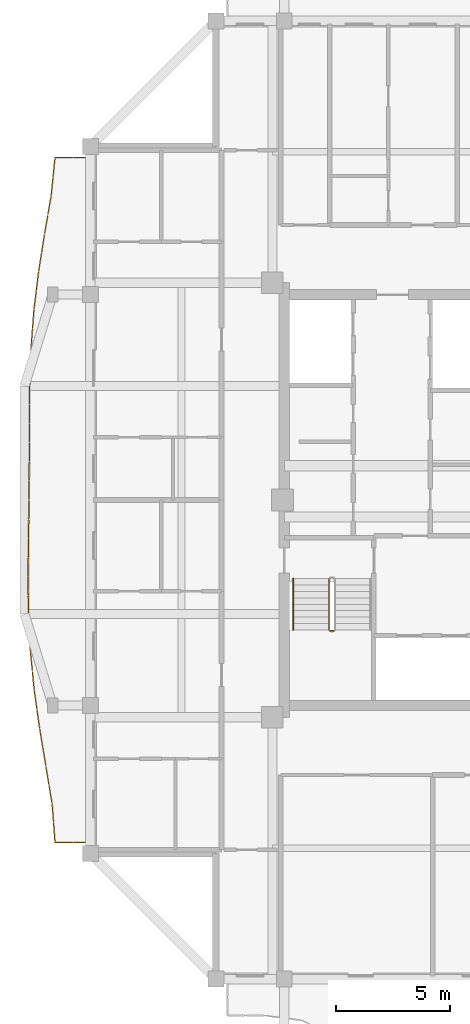
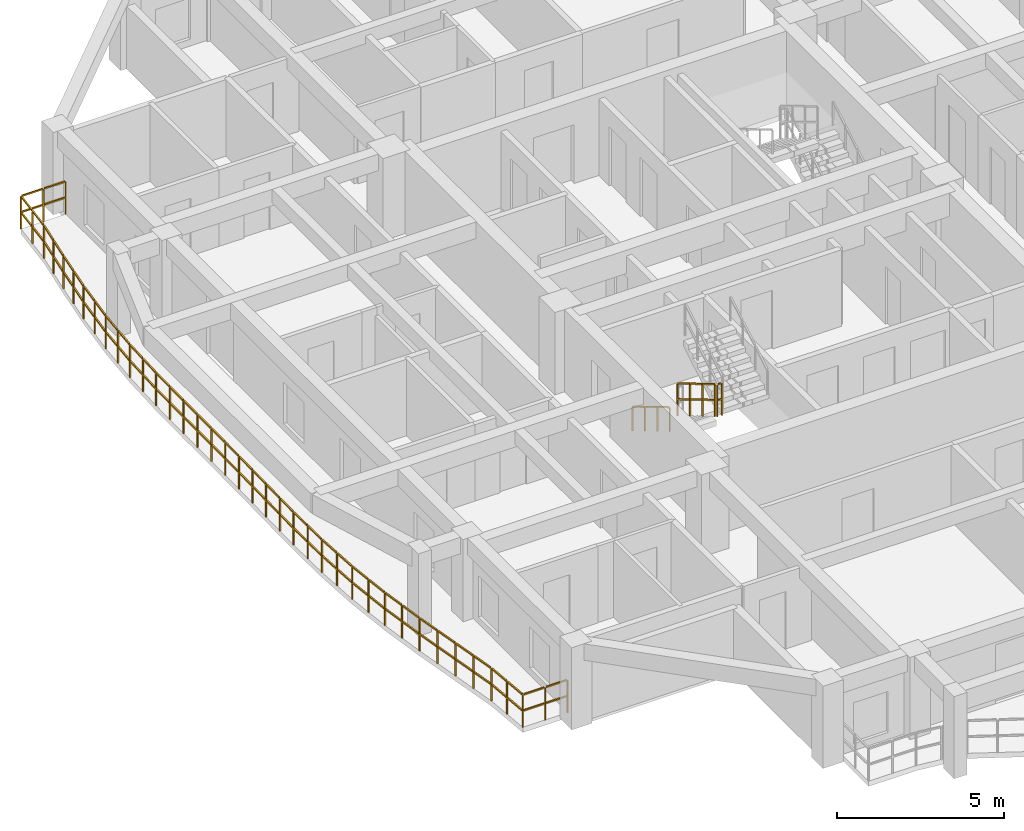
# One storey, part 9 of 12: 4 railings.
"""IFC4 building model written with IfcOpenShell, lengths in metres."""

from ifc_helpers import new_model, si_unit, direction, frame, origin, origin_2d, place, context, subcontext, project, spatial, rectangle, extrude, material, type_object, element, save


model = new_model("IFC4")

# Units and contexts
model_context = context("Model", 3, precision=1e-05, world=origin(), true_north=direction((0.0, 1.0)))
body_context = subcontext(model_context, "Body", "Model", "MODEL_VIEW")
ifc_project = project(units=[si_unit("LENGTHUNIT", "METRE"), si_unit("AREAUNIT", "SQUARE_METRE"), si_unit("VOLUMEUNIT", "CUBIC_METRE"), si_unit("PLANEANGLEUNIT", "RADIAN"), si_unit("MASSUNIT", "GRAM", prefix="KILO")], contexts=[model_context])

# Site, building, storey
site_placement = place(None, origin())
site = spatial("IfcSite", under=ifc_project, at=site_placement, CompositionType="ELEMENT")
building_placement = place(site_placement, origin())
building = spatial("IfcBuilding", under=site, at=building_placement, Name="Saelheon Loggia Tower", CompositionType="ELEMENT")
storey_placement = place(building_placement, frame((0.0, 0.0, 240.0)))
storey = spatial("IfcBuildingStorey", under=building, at=storey_placement, Name="L74", CompositionType="ELEMENT", Elevation=240.0)

# Railings
ifc_material_1 = material(Name="Architectural Precast Concrete and Laminated Glass Guard", Category="concrete")
railing_type_1 = type_object("IfcRailingType", Name="Guard_Loggia_RL_LOG", PredefinedType="BALUSTRADE", material=ifc_material_1)
railing_1_placement = place(storey_placement, frame((23.0, 42.0, 0.0)))
element("IfcRailing", 1, at=railing_1_placement, inside=storey, type_object=railing_type_1, Name="L74 West Loggia Balustrade", PredefinedType="BALUSTRADE", context=body_context, shape_type="SweptSolid", body=[
    extrude(rectangle(XDim=0.048095703125, YDim=0.048095703125, at=origin_2d()), frame((-0.033203125, 0.0, 1.19580078125), z_axis=(-1.0, 0.0, 0.0), x_axis=(0.0, -1.0, 0.0)), (0.0, 0.0, 1.0), 0.70849609375),
    extrude(rectangle(XDim=0.048095703125, YDim=0.048095703125, at=origin_2d()), frame((-0.033203125, 0.0, 0.60986328125), z_axis=(-1.0, 0.0, 0.0), x_axis=(0.0, -1.0, 0.0)), (0.0, 0.0, 1.0), 0.70849609375),
    extrude(rectangle(XDim=0.048095703125, YDim=0.048095703125, at=origin_2d()), frame((-0.808349609375, 0.0, 1.19580078125), z_axis=(-1.0, 0.0, 0.0), x_axis=(0.0, -1.0, 0.0)), (0.0, 0.0, 1.0), 0.70849609375),
    extrude(rectangle(XDim=0.048095703125, YDim=0.048095703125, at=origin_2d()), frame((-0.808349609375, 0.0, 0.60986328125), z_axis=(-1.0, 0.0, 0.0), x_axis=(0.0, -1.0, 0.0)), (0.0, 0.0, 1.0), 0.70849609375),
    extrude(rectangle(XDim=0.048095703125, YDim=0.048095703125, at=origin_2d()), frame((-1.553466796875, -0.032958984375, 1.19580078125), z_axis=(-0.100556993811, -0.994931299636, 0.0), x_axis=(0.994931299636, -0.100556993811, 0.0)), (0.0, 0.0, 1.0), 0.771240234375),
    extrude(rectangle(XDim=0.048095703125, YDim=0.048095703125, at=origin_2d()), frame((-1.553466796875, -0.032958984375, 0.60986328125), z_axis=(-0.100556993811, -0.994931299636, 0.0), x_axis=(0.994931299636, -0.100556993811, 0.0)), (0.0, 0.0, 1.0), 0.771240234375),
    extrude(rectangle(XDim=0.048095703125, YDim=0.048095703125, at=origin_2d()), frame((-1.6376953125, -0.866455078125, 1.19580078125), z_axis=(-0.100556993811, -0.994931299636, 0.0), x_axis=(0.994931299636, -0.100556993811, 0.0)), (0.0, 0.0, 1.0), 0.771240234375),
    extrude(rectangle(XDim=0.048095703125, YDim=0.048095703125, at=origin_2d()), frame((-1.6376953125, -0.866455078125, 0.60986328125), z_axis=(-0.100556993811, -0.994931299636, 0.0), x_axis=(0.994931299636, -0.100556993811, 0.0)), (0.0, 0.0, 1.0), 0.771240234375),
    extrude(rectangle(XDim=0.048095703125, YDim=0.048095703125, at=origin_2d()), frame((-1.72412109375, -1.699462890625, 1.19580078125), z_axis=(-0.171042688029, -0.985263618973, 0.0), x_axis=(0.985263618973, -0.171042688029, 0.0)), (0.0, 0.0, 1.0), 0.779296875),
    extrude(rectangle(XDim=0.048095703125, YDim=0.048095703125, at=origin_2d()), frame((-1.72412109375, -1.699462890625, 0.60986328125), z_axis=(-0.171042688029, -0.985263618973, 0.0), x_axis=(0.985263618973, -0.171042688029, 0.0)), (0.0, 0.0, 1.0), 0.779296875),
    extrude(rectangle(XDim=0.048095703125, YDim=0.048095703125, at=origin_2d()), frame((-1.868896484375, -2.53271484375, 1.19580078125), z_axis=(-0.171042688029, -0.985263618973, 0.0), x_axis=(0.985263618973, -0.171042688029, 0.0)), (0.0, 0.0, 1.0), 0.779296875),
    extrude(rectangle(XDim=0.048095703125, YDim=0.048095703125, at=origin_2d()), frame((-1.868896484375, -2.53271484375, 0.60986328125), z_axis=(-0.171042688029, -0.985263618973, 0.0), x_axis=(0.985263618973, -0.171042688029, 0.0)), (0.0, 0.0, 1.0), 0.779296875),
    extrude(rectangle(XDim=0.048095703125, YDim=0.048095703125, at=origin_2d()), frame((-2.012939453125, -3.365966796875, 1.19580078125), z_axis=(-0.155970003219, -0.987761792183, 0.0), x_axis=(0.987761792183, -0.155970003219, 0.0)), (0.0, 0.0, 1.0), 0.77734375),
    extrude(rectangle(XDim=0.048095703125, YDim=0.048095703125, at=origin_2d()), frame((-2.012939453125, -3.365966796875, 0.60986328125), z_axis=(-0.155970003219, -0.987761792183, 0.0), x_axis=(0.987761792183, -0.155970003219, 0.0)), (0.0, 0.0, 1.0), 0.77734375),
    extrude(rectangle(XDim=0.048095703125, YDim=0.048095703125, at=origin_2d()), frame((-2.14453125, -4.199462890625, 1.19580078125), z_axis=(-0.155970003219, -0.987761792183, 0.0), x_axis=(0.987761792183, -0.155970003219, 0.0)), (0.0, 0.0, 1.0), 0.77734375),
    extrude(rectangle(XDim=0.048095703125, YDim=0.048095703125, at=origin_2d()), frame((-2.14453125, -4.199462890625, 0.60986328125), z_axis=(-0.155970003219, -0.987761792183, 0.0), x_axis=(0.987761792183, -0.155970003219, 0.0)), (0.0, 0.0, 1.0), 0.77734375),
    extrude(rectangle(XDim=0.048095703125, YDim=0.048095703125, at=origin_2d()), frame((-2.27490234375, -5.032958984375, 1.19580078125), z_axis=(-0.12054414894, -0.992707967207, 0.0), x_axis=(0.992707967207, -0.12054414894, 0.0)), (0.0, 0.0, 1.0), 0.77294921875),
    extrude(rectangle(XDim=0.048095703125, YDim=0.048095703125, at=origin_2d()), frame((-2.27490234375, -5.032958984375, 0.60986328125), z_axis=(-0.12054414894, -0.992707967207, 0.0), x_axis=(0.992707967207, -0.12054414894, 0.0)), (0.0, 0.0, 1.0), 0.77294921875),
    extrude(rectangle(XDim=0.048095703125, YDim=0.048095703125, at=origin_2d()), frame((-2.376220703125, -5.866455078125, 1.19580078125), z_axis=(-0.12054414894, -0.992707967207, 0.0), x_axis=(0.992707967207, -0.12054414894, 0.0)), (0.0, 0.0, 1.0), 0.77294921875),
    extrude(rectangle(XDim=0.048095703125, YDim=0.048095703125, at=origin_2d()), frame((-2.376220703125, -5.866455078125, 0.60986328125), z_axis=(-0.12054414894, -0.992707967207, 0.0), x_axis=(0.992707967207, -0.12054414894, 0.0)), (0.0, 0.0, 1.0), 0.77294921875),
    extrude(rectangle(XDim=0.048095703125, YDim=0.048095703125, at=origin_2d()), frame((-2.475830078125, -6.699951171875, 1.19580078125), z_axis=(-0.075523507059, -0.997144021635, 0.0), x_axis=(0.997144021635, -0.075523507059, 0.0)), (0.0, 0.0, 1.0), 0.769287109375),
    extrude(rectangle(XDim=0.048095703125, YDim=0.048095703125, at=origin_2d()), frame((-2.475830078125, -6.699951171875, 0.60986328125), z_axis=(-0.075523507059, -0.997144021635, 0.0), x_axis=(0.997144021635, -0.075523507059, 0.0)), (0.0, 0.0, 1.0), 0.769287109375),
    extrude(rectangle(XDim=0.048095703125, YDim=0.048095703125, at=origin_2d()), frame((-2.5390625, -7.533203125, 1.19580078125), z_axis=(-0.075523507059, -0.997144021635, 0.0), x_axis=(0.997144021635, -0.075523507059, 0.0)), (0.0, 0.0, 1.0), 0.769287109375),
    extrude(rectangle(XDim=0.048095703125, YDim=0.048095703125, at=origin_2d()), frame((-2.5390625, -7.533203125, 0.60986328125), z_axis=(-0.075523507059, -0.997144021635, 0.0), x_axis=(0.997144021635, -0.075523507059, 0.0)), (0.0, 0.0, 1.0), 0.769287109375),
    extrude(rectangle(XDim=0.048095703125, YDim=0.048095703125, at=origin_2d()), frame((-2.600830078125, -8.366455078125, 1.19580078125), z_axis=(-0.034109333385, -0.999418107388, 0.0), x_axis=(0.999418107388, -0.034109333385, 0.0)), (0.0, 0.0, 1.0), 0.767333984375),
    extrude(rectangle(XDim=0.048095703125, YDim=0.048095703125, at=origin_2d()), frame((-2.600830078125, -8.366455078125, 0.60986328125), z_axis=(-0.034109333385, -0.999418107388, 0.0), x_axis=(0.999418107388, -0.034109333385, 0.0)), (0.0, 0.0, 1.0), 0.767333984375),
    extrude(rectangle(XDim=0.048095703125, YDim=0.048095703125, at=origin_2d()), frame((-2.629150390625, -9.199951171875, 1.19580078125), z_axis=(-0.034109333385, -0.999418107388, 0.0), x_axis=(0.999418107388, -0.034109333385, 0.0)), (0.0, 0.0, 1.0), 0.767333984375),
    extrude(rectangle(XDim=0.048095703125, YDim=0.048095703125, at=origin_2d()), frame((-2.629150390625, -9.199951171875, 0.60986328125), z_axis=(-0.034109333385, -0.999418107388, 0.0), x_axis=(0.999418107388, -0.034109333385, 0.0)), (0.0, 0.0, 1.0), 0.767333984375),
    extrude(rectangle(XDim=0.048095703125, YDim=0.048095703125, at=origin_2d()), frame((-2.65673828125, -10.033203125, 1.19580078125), z_axis=(-0.008348910706, -0.999965147238, 0.0), x_axis=(0.999965147238, -0.008348910706, 0.0)), (0.0, 0.0, 1.0), 0.766845703125),
    extrude(rectangle(XDim=0.048095703125, YDim=0.048095703125, at=origin_2d()), frame((-2.65673828125, -10.033203125, 0.60986328125), z_axis=(-0.008348910706, -0.999965147238, 0.0), x_axis=(0.999965147238, -0.008348910706, 0.0)), (0.0, 0.0, 1.0), 0.766845703125),
    extrude(rectangle(XDim=0.048095703125, YDim=0.048095703125, at=origin_2d()), frame((-2.663818359375, -10.86669921875, 1.19580078125), z_axis=(-0.008348910706, -0.999965147238, 0.0), x_axis=(0.999965147238, -0.008348910706, 0.0)), (0.0, 0.0, 1.0), 0.766845703125),
    extrude(rectangle(XDim=0.048095703125, YDim=0.048095703125, at=origin_2d()), frame((-2.663818359375, -10.86669921875, 0.60986328125), z_axis=(-0.008348910706, -0.999965147238, 0.0), x_axis=(0.999965147238, -0.008348910706, 0.0)), (0.0, 0.0, 1.0), 0.766845703125),
    extrude(rectangle(XDim=0.048095703125, YDim=0.048095703125, at=origin_2d()), frame((-2.67041015625, -11.699951171875, 1.19580078125), z_axis=(-0.00087899175, -0.999999613687, 0.0), x_axis=(0.999999613687, -0.00087899175, 0.0)), (0.0, 0.0, 1.0), 0.766845703125),
    extrude(rectangle(XDim=0.048095703125, YDim=0.048095703125, at=origin_2d()), frame((-2.67041015625, -11.699951171875, 0.60986328125), z_axis=(-0.00087899175, -0.999999613687, 0.0), x_axis=(0.999999613687, -0.00087899175, 0.0)), (0.0, 0.0, 1.0), 0.766845703125),
    extrude(rectangle(XDim=0.048095703125, YDim=0.048095703125, at=origin_2d()), frame((-2.671142578125, -12.533203125, 1.19580078125), z_axis=(-0.00087899175, -0.999999613687, 0.0), x_axis=(0.999999613687, -0.00087899175, 0.0)), (0.0, 0.0, 1.0), 0.766845703125),
    extrude(rectangle(XDim=0.048095703125, YDim=0.048095703125, at=origin_2d()), frame((-2.671142578125, -12.533203125, 0.60986328125), z_axis=(-0.00087899175, -0.999999613687, 0.0), x_axis=(0.999999613687, -0.00087899175, 0.0)), (0.0, 0.0, 1.0), 0.766845703125),
    extrude(rectangle(XDim=0.048095703125, YDim=0.048095703125, at=origin_2d()), frame((-2.672119140625, -13.366455078125, 1.19580078125), z_axis=(-0.007030732919, -0.999975284092, 0.0), x_axis=(0.999975284092, -0.007030732919, 0.0)), (0.0, 0.0, 1.0), 0.766845703125),
    extrude(rectangle(XDim=0.048095703125, YDim=0.048095703125, at=origin_2d()), frame((-2.672119140625, -13.366455078125, 0.60986328125), z_axis=(-0.007030732919, -0.999975284092, 0.0), x_axis=(0.999975284092, -0.007030732919, 0.0)), (0.0, 0.0, 1.0), 0.766845703125),
    extrude(rectangle(XDim=0.048095703125, YDim=0.048095703125, at=origin_2d()), frame((-2.677978515625, -14.199951171875, 1.19580078125), z_axis=(-0.007030732919, -0.999975284092, 0.0), x_axis=(0.999975284092, -0.007030732919, 0.0)), (0.0, 0.0, 1.0), 0.766845703125),
    extrude(rectangle(XDim=0.048095703125, YDim=0.048095703125, at=origin_2d()), frame((-2.677978515625, -14.199951171875, 0.60986328125), z_axis=(-0.007030732919, -0.999975284092, 0.0), x_axis=(0.999975284092, -0.007030732919, 0.0)), (0.0, 0.0, 1.0), 0.766845703125),
    extrude(rectangle(XDim=0.048095703125, YDim=0.048095703125, at=origin_2d()), frame((-2.68408203125, -15.033203125, 1.19580078125), z_axis=(-0.014353289095, -0.99989698624, 0.0), x_axis=(0.99989698624, -0.014353289095, 0.0)), (0.0, 0.0, 1.0), 0.76708984375),
    extrude(rectangle(XDim=0.048095703125, YDim=0.048095703125, at=origin_2d()), frame((-2.68408203125, -15.033203125, 0.60986328125), z_axis=(-0.014353289095, -0.99989698624, 0.0), x_axis=(0.99989698624, -0.014353289095, 0.0)), (0.0, 0.0, 1.0), 0.76708984375),
    extrude(rectangle(XDim=0.048095703125, YDim=0.048095703125, at=origin_2d()), frame((-2.696044921875, -15.86669921875, 1.19580078125), z_axis=(-0.014353289095, -0.99989698624, 0.0), x_axis=(0.99989698624, -0.014353289095, 0.0)), (0.0, 0.0, 1.0), 0.76708984375),
    extrude(rectangle(XDim=0.048095703125, YDim=0.048095703125, at=origin_2d()), frame((-2.696044921875, -15.86669921875, 0.60986328125), z_axis=(-0.014353289095, -0.99989698624, 0.0), x_axis=(0.99989698624, -0.014353289095, 0.0)), (0.0, 0.0, 1.0), 0.76708984375),
    extrude(rectangle(XDim=0.048095703125, YDim=0.048095703125, at=origin_2d()), frame((-2.7080078125, -16.699951171875, 1.19580078125), z_axis=(-0.011279680844, -0.999936382376, 0.0), x_axis=(0.999936382376, -0.011279680844, 0.0)), (0.0, 0.0, 1.0), 0.766845703125),
    extrude(rectangle(XDim=0.048095703125, YDim=0.048095703125, at=origin_2d()), frame((-2.7080078125, -16.699951171875, 0.60986328125), z_axis=(-0.011279680844, -0.999936382376, 0.0), x_axis=(0.999936382376, -0.011279680844, 0.0)), (0.0, 0.0, 1.0), 0.766845703125),
    extrude(rectangle(XDim=0.048095703125, YDim=0.048095703125, at=origin_2d()), frame((-2.71728515625, -17.533203125, 1.19580078125), z_axis=(-0.011279680844, -0.999936382376, 0.0), x_axis=(0.999936382376, -0.011279680844, 0.0)), (0.0, 0.0, 1.0), 0.766845703125),
    extrude(rectangle(XDim=0.048095703125, YDim=0.048095703125, at=origin_2d()), frame((-2.71728515625, -17.533203125, 0.60986328125), z_axis=(-0.011279680844, -0.999936382376, 0.0), x_axis=(0.999936382376, -0.011279680844, 0.0)), (0.0, 0.0, 1.0), 0.766845703125),
    extrude(rectangle(XDim=0.048095703125, YDim=0.048095703125, at=origin_2d()), frame((-2.72607421875, -18.366455078125, 1.19580078125), z_axis=(0.010692226024, -0.999942836517, 0.0), x_axis=(0.999942836517, 0.010692226024, 0.0)), (0.0, 0.0, 1.0), 0.766845703125),
    extrude(rectangle(XDim=0.048095703125, YDim=0.048095703125, at=origin_2d()), frame((-2.72607421875, -18.366455078125, 0.60986328125), z_axis=(0.010692226024, -0.999942836517, 0.0), x_axis=(0.999942836517, 0.010692226024, 0.0)), (0.0, 0.0, 1.0), 0.766845703125),
    extrude(rectangle(XDim=0.048095703125, YDim=0.048095703125, at=origin_2d()), frame((-2.717041015625, -19.199951171875, 1.19580078125), z_axis=(0.010692226024, -0.999942836517, 0.0), x_axis=(0.999942836517, 0.010692226024, 0.0)), (0.0, 0.0, 1.0), 0.766845703125),
    extrude(rectangle(XDim=0.048095703125, YDim=0.048095703125, at=origin_2d()), frame((-2.717041015625, -19.199951171875, 0.60986328125), z_axis=(0.010692226024, -0.999942836517, 0.0), x_axis=(0.999942836517, 0.010692226024, 0.0)), (0.0, 0.0, 1.0), 0.766845703125),
    extrude(rectangle(XDim=0.048095703125, YDim=0.048095703125, at=origin_2d()), frame((-2.706787109375, -20.033203125, 1.19580078125), z_axis=(0.050178396497, -0.998740270804, 0.0), x_axis=(0.998740270804, 0.050178396497, 0.0)), (0.0, 0.0, 1.0), 0.76806640625),
    extrude(rectangle(XDim=0.048095703125, YDim=0.048095703125, at=origin_2d()), frame((-2.706787109375, -20.033203125, 0.60986328125), z_axis=(0.050178396497, -0.998740270804, 0.0), x_axis=(0.998740270804, 0.050178396497, 0.0)), (0.0, 0.0, 1.0), 0.76806640625),
    extrude(rectangle(XDim=0.048095703125, YDim=0.048095703125, at=origin_2d()), frame((-2.6650390625, -20.866455078125, 1.19580078125), z_axis=(0.050178396497, -0.998740270804, 0.0), x_axis=(0.998740270804, 0.050178396497, 0.0)), (0.0, 0.0, 1.0), 0.76806640625),
    extrude(rectangle(XDim=0.048095703125, YDim=0.048095703125, at=origin_2d()), frame((-2.6650390625, -20.866455078125, 0.60986328125), z_axis=(0.050178396497, -0.998740270804, 0.0), x_axis=(0.998740270804, 0.050178396497, 0.0)), (0.0, 0.0, 1.0), 0.76806640625),
    extrude(rectangle(XDim=0.048095703125, YDim=0.048095703125, at=origin_2d()), frame((-2.62158203125, -21.69970703125, 1.19580078125), z_axis=(0.097684686156, -0.995217414483, 0.0), x_axis=(0.995217414483, 0.097684686156, 0.0)), (0.0, 0.0, 1.0), 0.770751953125),
    extrude(rectangle(XDim=0.048095703125, YDim=0.048095703125, at=origin_2d()), frame((-2.62158203125, -21.69970703125, 0.60986328125), z_axis=(0.097684686156, -0.995217414483, 0.0), x_axis=(0.995217414483, 0.097684686156, 0.0)), (0.0, 0.0, 1.0), 0.770751953125),
    extrude(rectangle(XDim=0.048095703125, YDim=0.048095703125, at=origin_2d()), frame((-2.539794921875, -22.532958984375, 1.19580078125), z_axis=(0.097684686156, -0.995217414483, 0.0), x_axis=(0.995217414483, 0.097684686156, 0.0)), (0.0, 0.0, 1.0), 0.770751953125),
    extrude(rectangle(XDim=0.048095703125, YDim=0.048095703125, at=origin_2d()), frame((-2.539794921875, -22.532958984375, 0.60986328125), z_axis=(0.097684686156, -0.995217414483, 0.0), x_axis=(0.995217414483, 0.097684686156, 0.0)), (0.0, 0.0, 1.0), 0.770751953125),
    extrude(rectangle(XDim=0.048095703125, YDim=0.048095703125, at=origin_2d()), frame((-2.45654296875, -23.3662109375, 1.19580078125), z_axis=(0.139532622052, -0.990217474792, 0.0), x_axis=(0.990217474792, 0.139532622052, 0.0)), (0.0, 0.0, 1.0), 0.775146484375),
    extrude(rectangle(XDim=0.048095703125, YDim=0.048095703125, at=origin_2d()), frame((-2.45654296875, -23.3662109375, 0.60986328125), z_axis=(0.139532622052, -0.990217474792, 0.0), x_axis=(0.990217474792, 0.139532622052, 0.0)), (0.0, 0.0, 1.0), 0.775146484375),
    extrude(rectangle(XDim=0.048095703125, YDim=0.048095703125, at=origin_2d()), frame((-2.339111328125, -24.199462890625, 1.19580078125), z_axis=(0.139532622052, -0.990217474792, 0.0), x_axis=(0.990217474792, 0.139532622052, 0.0)), (0.0, 0.0, 1.0), 0.775146484375),
    extrude(rectangle(XDim=0.048095703125, YDim=0.048095703125, at=origin_2d()), frame((-2.339111328125, -24.199462890625, 0.60986328125), z_axis=(0.139532622052, -0.990217474792, 0.0), x_axis=(0.990217474792, 0.139532622052, 0.0)), (0.0, 0.0, 1.0), 0.775146484375),
    extrude(rectangle(XDim=0.048095703125, YDim=0.048095703125, at=origin_2d()), frame((-2.220947265625, -25.03271484375, 1.19580078125), z_axis=(0.163297476344, -0.986576876994, 0.0), x_axis=(0.986576876994, 0.163297476344, 0.0)), (0.0, 0.0, 1.0), 0.7783203125),
    extrude(rectangle(XDim=0.048095703125, YDim=0.048095703125, at=origin_2d()), frame((-2.220947265625, -25.03271484375, 0.60986328125), z_axis=(0.163297476344, -0.986576876994, 0.0), x_axis=(0.986576876994, 0.163297476344, 0.0)), (0.0, 0.0, 1.0), 0.7783203125),
    extrude(rectangle(XDim=0.048095703125, YDim=0.048095703125, at=origin_2d()), frame((-2.0830078125, -25.8662109375, 1.19580078125), z_axis=(0.163297476344, -0.986576876994, 0.0), x_axis=(0.986576876994, 0.163297476344, 0.0)), (0.0, 0.0, 1.0), 0.7783203125),
    extrude(rectangle(XDim=0.048095703125, YDim=0.048095703125, at=origin_2d()), frame((-2.0830078125, -25.8662109375, 0.60986328125), z_axis=(0.163297476344, -0.986576876994, 0.0), x_axis=(0.986576876994, 0.163297476344, 0.0)), (0.0, 0.0, 1.0), 0.7783203125),
    extrude(rectangle(XDim=0.048095703125, YDim=0.048095703125, at=origin_2d()), frame((-1.945068359375, -26.699462890625, 1.19580078125), z_axis=(0.164164640298, -0.986432953057, 0.0), x_axis=(0.986432953057, 0.164164640298, 0.0)), (0.0, 0.0, 1.0), 0.7783203125),
    extrude(rectangle(XDim=0.048095703125, YDim=0.048095703125, at=origin_2d()), frame((-1.945068359375, -26.699462890625, 0.60986328125), z_axis=(0.164164640298, -0.986432953057, 0.0), x_axis=(0.986432953057, 0.164164640298, 0.0)), (0.0, 0.0, 1.0), 0.7783203125),
    extrude(rectangle(XDim=0.048095703125, YDim=0.048095703125, at=origin_2d()), frame((-1.806396484375, -27.53271484375, 1.19580078125), z_axis=(0.164164640298, -0.986432953057, 0.0), x_axis=(0.986432953057, 0.164164640298, 0.0)), (0.0, 0.0, 1.0), 0.7783203125),
    extrude(rectangle(XDim=0.048095703125, YDim=0.048095703125, at=origin_2d()), frame((-1.806396484375, -27.53271484375, 0.60986328125), z_axis=(0.164164640298, -0.986432953057, 0.0), x_axis=(0.986432953057, 0.164164640298, 0.0)), (0.0, 0.0, 1.0), 0.7783203125),
    extrude(rectangle(XDim=0.048095703125, YDim=0.048095703125, at=origin_2d()), frame((-1.670654296875, -28.366455078125, 1.19580078125), z_axis=(0.073624164853, -0.997286058435, 0.0), x_axis=(0.997286058435, 0.073624164853, 0.0)), (0.0, 0.0, 1.0), 0.769287109375),
    extrude(rectangle(XDim=0.048095703125, YDim=0.048095703125, at=origin_2d()), frame((-1.670654296875, -28.366455078125, 0.60986328125), z_axis=(0.073624164853, -0.997286058435, 0.0), x_axis=(0.997286058435, 0.073624164853, 0.0)), (0.0, 0.0, 1.0), 0.769287109375),
    extrude(rectangle(XDim=0.048095703125, YDim=0.048095703125, at=origin_2d()), frame((-1.609130859375, -29.19970703125, 1.19580078125), z_axis=(0.073624164853, -0.997286058435, 0.0), x_axis=(0.997286058435, 0.073624164853, 0.0)), (0.0, 0.0, 1.0), 0.769287109375),
    extrude(rectangle(XDim=0.048095703125, YDim=0.048095703125, at=origin_2d()), frame((-1.609130859375, -29.19970703125, 0.60986328125), z_axis=(0.073624164853, -0.997286058435, 0.0), x_axis=(0.997286058435, 0.073624164853, 0.0)), (0.0, 0.0, 1.0), 0.769287109375),
    extrude(rectangle(XDim=0.048095703125, YDim=0.048095703125, at=origin_2d()), frame((-1.516845703125, -30.0, 1.19580078125), z_axis=(1.0, 0.0, 0.0), x_axis=(0.0, 1.0, 0.0)), (0.0, 0.0, 1.0), 0.70849609375),
    extrude(rectangle(XDim=0.048095703125, YDim=0.048095703125, at=origin_2d()), frame((-1.516845703125, -30.0, 0.60986328125), z_axis=(1.0, 0.0, 0.0), x_axis=(0.0, 1.0, 0.0)), (0.0, 0.0, 1.0), 0.70849609375),
    extrude(rectangle(XDim=0.048095703125, YDim=0.048095703125, at=origin_2d()), frame((-0.74169921875, -30.0, 1.19580078125), z_axis=(1.0, 0.0, 0.0), x_axis=(0.0, 1.0, 0.0)), (0.0, 0.0, 1.0), 0.70849609375),
    extrude(rectangle(XDim=0.048095703125, YDim=0.048095703125, at=origin_2d()), frame((-0.74169921875, -30.0, 0.60986328125), z_axis=(1.0, 0.0, 0.0), x_axis=(0.0, 1.0, 0.0)), (0.0, 0.0, 1.0), 0.70849609375),
    extrude(rectangle(XDim=0.0419921875, YDim=0.0419921875, at=origin_2d()), origin(), (0.0, 0.0, 1.0), 1.16796875),
    extrude(rectangle(XDim=0.0419921875, YDim=0.0419921875, at=origin_2d()), frame((-0.77490234375, 0.0, 0.0)), (0.0, 0.0, 1.0), 1.16796875),
    extrude(rectangle(XDim=0.0419921875, YDim=0.0419921875, at=origin_2d()), frame((-1.550048828125, 0.0, 0.0)), (0.0, 0.0, 1.0), 1.16796875),
    extrude(rectangle(XDim=0.0419921875, YDim=0.0419921875, at=origin_2d()), frame((-1.63427734375, -0.83349609375, 0.0)), (0.0, 0.0, 1.0), 1.16796875),
    extrude(rectangle(XDim=0.0419921875, YDim=0.0419921875, at=origin_2d()), frame((-1.718505859375, -1.666748046875, 0.0)), (0.0, 0.0, 1.0), 1.16796875),
    extrude(rectangle(XDim=0.0419921875, YDim=0.0419921875, at=origin_2d()), frame((-1.86328125, -2.5, 0.0)), (0.0, 0.0, 1.0), 1.16796875),
    extrude(rectangle(XDim=0.0419921875, YDim=0.0419921875, at=origin_2d()), frame((-2.0078125, -3.333251953125, 0.0)), (0.0, 0.0, 1.0), 1.16796875),
    extrude(rectangle(XDim=0.0419921875, YDim=0.0419921875, at=origin_2d()), frame((-2.139404296875, -4.16650390625, 0.0)), (0.0, 0.0, 1.0), 1.16796875),
    extrude(rectangle(XDim=0.0419921875, YDim=0.0419921875, at=origin_2d()), frame((-2.27099609375, -5.0, 0.0)), (0.0, 0.0, 1.0), 1.16796875),
    extrude(rectangle(XDim=0.0419921875, YDim=0.0419921875, at=origin_2d()), frame((-2.3720703125, -5.83349609375, 0.0)), (0.0, 0.0, 1.0), 1.16796875),
    extrude(rectangle(XDim=0.0419921875, YDim=0.0419921875, at=origin_2d()), frame((-2.473388671875, -6.666748046875, 0.0)), (0.0, 0.0, 1.0), 1.16796875),
    extrude(rectangle(XDim=0.0419921875, YDim=0.0419921875, at=origin_2d()), frame((-2.53662109375, -7.5, 0.0)), (0.0, 0.0, 1.0), 1.16796875),
    extrude(rectangle(XDim=0.0419921875, YDim=0.0419921875, at=origin_2d()), frame((-2.599609375, -8.333251953125, 0.0)), (0.0, 0.0, 1.0), 1.16796875),
    extrude(rectangle(XDim=0.0419921875, YDim=0.0419921875, at=origin_2d()), frame((-2.6279296875, -9.16650390625, 0.0)), (0.0, 0.0, 1.0), 1.16796875),
    extrude(rectangle(XDim=0.0419921875, YDim=0.0419921875, at=origin_2d()), frame((-2.656494140625, -10.0, 0.0)), (0.0, 0.0, 1.0), 1.16796875),
    extrude(rectangle(XDim=0.0419921875, YDim=0.0419921875, at=origin_2d()), frame((-2.66357421875, -10.83349609375, 0.0)), (0.0, 0.0, 1.0), 1.16796875),
    extrude(rectangle(XDim=0.0419921875, YDim=0.0419921875, at=origin_2d()), frame((-2.67041015625, -11.666748046875, 0.0)), (0.0, 0.0, 1.0), 1.16796875),
    extrude(rectangle(XDim=0.0419921875, YDim=0.0419921875, at=origin_2d()), frame((-2.671142578125, -12.5, 0.0)), (0.0, 0.0, 1.0), 1.16796875),
    extrude(rectangle(XDim=0.0419921875, YDim=0.0419921875, at=origin_2d()), frame((-2.671875, -13.333251953125, 0.0)), (0.0, 0.0, 1.0), 1.16796875),
    extrude(rectangle(XDim=0.0419921875, YDim=0.0419921875, at=origin_2d()), frame((-2.677734375, -14.16650390625, 0.0)), (0.0, 0.0, 1.0), 1.16796875),
    extrude(rectangle(XDim=0.0419921875, YDim=0.0419921875, at=origin_2d()), frame((-2.68359375, -15.0, 0.0)), (0.0, 0.0, 1.0), 1.16796875),
    extrude(rectangle(XDim=0.0419921875, YDim=0.0419921875, at=origin_2d()), frame((-2.695556640625, -15.83349609375, 0.0)), (0.0, 0.0, 1.0), 1.16796875),
    extrude(rectangle(XDim=0.0419921875, YDim=0.0419921875, at=origin_2d()), frame((-2.70751953125, -16.666748046875, 0.0)), (0.0, 0.0, 1.0), 1.16796875),
    extrude(rectangle(XDim=0.0419921875, YDim=0.0419921875, at=origin_2d()), frame((-2.716796875, -17.5, 0.0)), (0.0, 0.0, 1.0), 1.16796875),
    extrude(rectangle(XDim=0.0419921875, YDim=0.0419921875, at=origin_2d()), frame((-2.726318359375, -18.333251953125, 0.0)), (0.0, 0.0, 1.0), 1.16796875),
    extrude(rectangle(XDim=0.0419921875, YDim=0.0419921875, at=origin_2d()), frame((-2.71728515625, -19.16650390625, 0.0)), (0.0, 0.0, 1.0), 1.16796875),
    extrude(rectangle(XDim=0.0419921875, YDim=0.0419921875, at=origin_2d()), frame((-2.70849609375, -20.0, 0.0)), (0.0, 0.0, 1.0), 1.16796875),
    extrude(rectangle(XDim=0.0419921875, YDim=0.0419921875, at=origin_2d()), frame((-2.66650390625, -20.83349609375, 0.0)), (0.0, 0.0, 1.0), 1.16796875),
    extrude(rectangle(XDim=0.0419921875, YDim=0.0419921875, at=origin_2d()), frame((-2.624755859375, -21.666748046875, 0.0)), (0.0, 0.0, 1.0), 1.16796875),
    extrude(rectangle(XDim=0.0419921875, YDim=0.0419921875, at=origin_2d()), frame((-2.54296875, -22.5, 0.0)), (0.0, 0.0, 1.0), 1.16796875),
    extrude(rectangle(XDim=0.0419921875, YDim=0.0419921875, at=origin_2d()), frame((-2.461181640625, -23.333251953125, 0.0)), (0.0, 0.0, 1.0), 1.16796875),
    extrude(rectangle(XDim=0.0419921875, YDim=0.0419921875, at=origin_2d()), frame((-2.34375, -24.16650390625, 0.0)), (0.0, 0.0, 1.0), 1.16796875),
    extrude(rectangle(XDim=0.0419921875, YDim=0.0419921875, at=origin_2d()), frame((-2.226318359375, -25.0, 0.0)), (0.0, 0.0, 1.0), 1.16796875),
    extrude(rectangle(XDim=0.0419921875, YDim=0.0419921875, at=origin_2d()), frame((-2.08837890625, -25.83349609375, 0.0)), (0.0, 0.0, 1.0), 1.16796875),
    extrude(rectangle(XDim=0.0419921875, YDim=0.0419921875, at=origin_2d()), frame((-1.950439453125, -26.666748046875, 0.0)), (0.0, 0.0, 1.0), 1.16796875),
    extrude(rectangle(XDim=0.0419921875, YDim=0.0419921875, at=origin_2d()), frame((-1.811767578125, -27.5, 0.0)), (0.0, 0.0, 1.0), 1.16796875),
    extrude(rectangle(XDim=0.0419921875, YDim=0.0419921875, at=origin_2d()), frame((-1.673095703125, -28.333251953125, 0.0)), (0.0, 0.0, 1.0), 1.16796875),
    extrude(rectangle(XDim=0.0419921875, YDim=0.0419921875, at=origin_2d()), frame((-1.611572265625, -29.16650390625, 0.0)), (0.0, 0.0, 1.0), 1.16796875),
    extrude(rectangle(XDim=0.0419921875, YDim=0.0419921875, at=origin_2d()), frame((-1.550048828125, -30.0, 0.0)), (0.0, 0.0, 1.0), 1.16796875),
    extrude(rectangle(XDim=0.0419921875, YDim=0.0419921875, at=origin_2d()), frame((-0.77490234375, -30.0, 0.0)), (0.0, 0.0, 1.0), 1.16796875),
    extrude(rectangle(XDim=0.0419921875, YDim=0.0419921875, at=origin_2d()), frame((0.0, -30.0, 0.0)), (0.0, 0.0, 1.0), 1.16796875),
])
ifc_material_2 = material(Name="Galvanised Steel S275 Stairwell Guardrail", Category="steel")
railing_type_2 = type_object("IfcRailingType", Name="Guard_StairWell_RL_STG", PredefinedType="GUARDRAIL", material=ifc_material_2)
railing_2_placement = place(storey_placement, frame((33.4599609375, 23.550048828125, 0.166748046875)))
element("IfcRailing", 2, at=railing_2_placement, inside=storey, type_object=railing_type_2, Name="L74 ST1 stair guard 1", PredefinedType="GUARDRAIL", context=body_context, shape_type="SweptSolid", body=[
    extrude(rectangle(XDim=0.048095703125, YDim=0.048095703125, at=origin_2d()), frame((0.0, -0.028564453125, 1.19287109375), z_axis=(0.0, -0.859305625298, 0.511462454469), x_axis=(1.0, 0.0, 0.0)), (0.0, 0.0, 1.0), 0.802490234375),
    extrude(rectangle(XDim=0.048095703125, YDim=0.048095703125, at=origin_2d()), frame((0.0, -0.028564453125, 0.616943359375), z_axis=(0.0, -0.859305625298, 0.511462454469), x_axis=(1.0, 0.0, 0.0)), (0.0, 0.0, 1.0), 0.802490234375),
    extrude(rectangle(XDim=0.048095703125, YDim=0.048095703125, at=origin_2d()), frame((0.0, -0.775146484375, 1.63720703125), z_axis=(0.0, -0.859305625298, 0.511462454469), x_axis=(1.0, 0.0, 0.0)), (0.0, 0.0, 1.0), 0.802490234375),
    extrude(rectangle(XDim=0.048095703125, YDim=0.048095703125, at=origin_2d()), frame((0.0, -0.775146484375, 1.061279296875), z_axis=(0.0, -0.859305625298, 0.511462454469), x_axis=(1.0, 0.0, 0.0)), (0.0, 0.0, 1.0), 0.802490234375),
    extrude(rectangle(XDim=0.048095703125, YDim=0.048095703125, at=origin_2d()), frame((0.0, -1.52197265625, 2.081787109375), z_axis=(0.0, -0.859305625298, 0.511462454469), x_axis=(1.0, 0.0, 0.0)), (0.0, 0.0, 1.0), 0.802490234375),
    extrude(rectangle(XDim=0.048095703125, YDim=0.048095703125, at=origin_2d()), frame((0.0, -1.52197265625, 1.505859375), z_axis=(0.0, -0.859305625298, 0.511462454469), x_axis=(1.0, 0.0, 0.0)), (0.0, 0.0, 1.0), 0.802490234375),
    extrude(rectangle(XDim=0.0419921875, YDim=0.0419921875, at=origin_2d()), origin(), (0.0, 0.0, 1.0), 1.14794921875),
    extrude(rectangle(XDim=0.0419921875, YDim=0.0419921875, at=origin_2d()), frame((0.0, -0.74658203125, 0.4443359375)), (0.0, 0.0, 1.0), 1.14794921875),
    extrude(rectangle(XDim=0.0419921875, YDim=0.0419921875, at=origin_2d()), frame((0.0, -1.493408203125, 0.888916015625)), (0.0, 0.0, 1.0), 1.14794921875),
    extrude(rectangle(XDim=0.0419921875, YDim=0.0419921875, at=origin_2d()), frame((0.0, -2.239990234375, 1.333251953125)), (0.0, 0.0, 1.0), 1.14794921875),
])
railing_3_placement = place(storey_placement, frame((33.510009765625, 21.260009765625, 1.5)))
element("IfcRailing", 3, at=railing_3_placement, inside=storey, type_object=railing_type_2, Name="L74 ST1 stair guard 2", PredefinedType="GUARDRAIL", context=body_context, shape_type="SweptSolid", body=[
    extrude(rectangle(XDim=0.048095703125, YDim=0.048095703125, at=origin_2d()), frame((0.033203125, 0.0, 1.17578125), z_axis=(1.0, 0.0, 0.0), x_axis=(0.0, 1.0, 0.0)), (0.0, 0.0, 1.0), 0.093505859375),
    extrude(rectangle(XDim=0.048095703125, YDim=0.048095703125, at=origin_2d()), frame((0.033203125, 0.0, 0.60009765625), z_axis=(1.0, 0.0, 0.0), x_axis=(0.0, 1.0, 0.0)), (0.0, 0.0, 1.0), 0.093505859375),
    extrude(rectangle(XDim=0.0419921875, YDim=0.0419921875, at=origin_2d()), origin(), (0.0, 0.0, 1.0), 1.14794921875),
    extrude(rectangle(XDim=0.0419921875, YDim=0.0419921875, at=origin_2d()), frame((0.159912109375, 0.0, 0.0)), (0.0, 0.0, 1.0), 1.14794921875),
])
ifc_material_3 = material(Name="Stainless Steel 304 Tubular Handrail", Category="steel")
railing_type_3 = type_object("IfcRailingType", Name="Handrail_Stair_RL_HR1", PredefinedType="HANDRAIL", material=ifc_material_3)
railing_4_placement = place(storey_placement, frame((31.89990234375, 23.550048828125, 0.166748046875)))
element("IfcRailing", 4, at=railing_4_placement, inside=storey, type_object=railing_type_3, Name="L74 ST1 stair handrail 1", PredefinedType="HANDRAIL", context=body_context, shape_type="SweptSolid", body=[
    extrude(rectangle(XDim=0.048095703125, YDim=0.048095703125, at=origin_2d()), frame((0.0, -0.028564453125, 0.892822265625), z_axis=(0.0, -0.859305625298, 0.511462454469), x_axis=(1.0, 0.0, 0.0)), (0.0, 0.0, 1.0), 0.802490234375),
    extrude(rectangle(XDim=0.048095703125, YDim=0.048095703125, at=origin_2d()), frame((0.0, -0.775146484375, 1.337158203125), z_axis=(0.0, -0.859305625298, 0.511462454469), x_axis=(1.0, 0.0, 0.0)), (0.0, 0.0, 1.0), 0.802490234375),
    extrude(rectangle(XDim=0.048095703125, YDim=0.048095703125, at=origin_2d()), frame((0.0, -1.52197265625, 1.78173828125), z_axis=(0.0, -0.859305625298, 0.511462454469), x_axis=(1.0, 0.0, 0.0)), (0.0, 0.0, 1.0), 0.802490234375),
    extrude(rectangle(XDim=0.0419921875, YDim=0.0419921875, at=origin_2d()), origin(), (0.0, 0.0, 1.0), 0.847900390625),
    extrude(rectangle(XDim=0.0419921875, YDim=0.0419921875, at=origin_2d()), frame((0.0, -0.74658203125, 0.4443359375)), (0.0, 0.0, 1.0), 0.847900390625),
    extrude(rectangle(XDim=0.0419921875, YDim=0.0419921875, at=origin_2d()), frame((0.0, -1.493408203125, 0.888916015625)), (0.0, 0.0, 1.0), 0.847900390625),
    extrude(rectangle(XDim=0.0419921875, YDim=0.0419921875, at=origin_2d()), frame((0.0, -2.239990234375, 1.333251953125)), (0.0, 0.0, 1.0), 0.847900390625),
])

save(model, "model.ifc")
